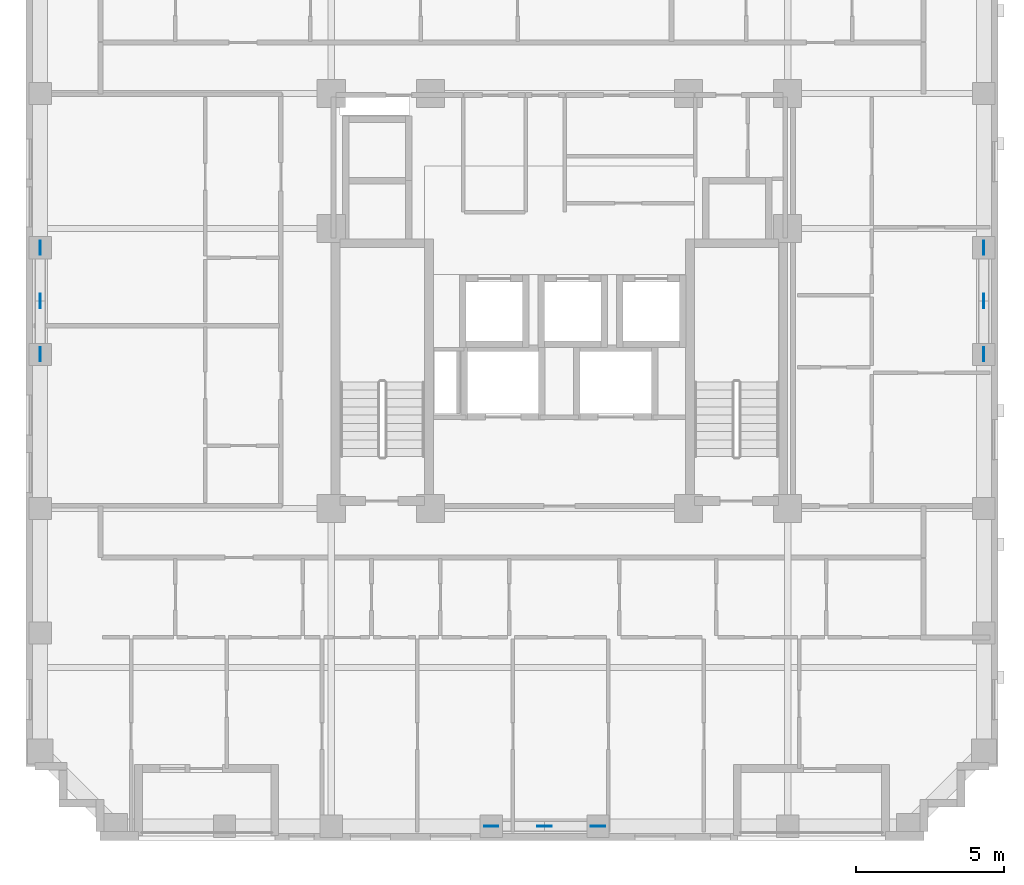
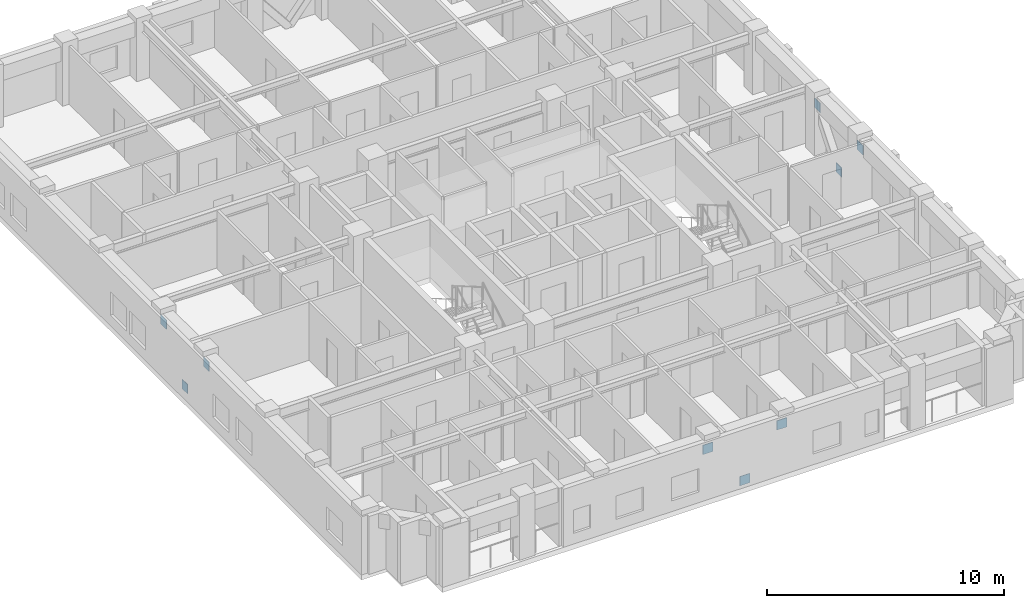
# One storey, part 9 of 12: 9 discrete accessories.
"""IFC4 building model written with IfcOpenShell, lengths in metres."""

from ifc_helpers import new_model, si_unit, derived_unit, direction, frame, origin, origin_2d, place, context, subcontext, project, spatial, rectangle, extrude, material, layer, layer_set, type_object, element, save


model = new_model("IFC4")

# Units and contexts
model_context = context("Model", 3, precision=1e-05, world=origin(), true_north=direction((0.0, 1.0)))
body_context = subcontext(model_context, "Body", "Model", "MODEL_VIEW")
ifc_project = project(units=[si_unit("LENGTHUNIT", "METRE"), si_unit("AREAUNIT", "SQUARE_METRE"), si_unit("VOLUMEUNIT", "CUBIC_METRE"), si_unit("PLANEANGLEUNIT", "RADIAN"), si_unit("MASSUNIT", "GRAM", prefix="KILO"), derived_unit("THERMALTRANSMITTANCEUNIT", [(si_unit("MASSUNIT", "GRAM", prefix="KILO"), 1), (si_unit("TIMEUNIT", "SECOND"), -3), (si_unit("THERMODYNAMICTEMPERATUREUNIT", "KELVIN"), -1)])], contexts=[model_context])

# Site, building, storey
site_placement = place(None, origin())
site = spatial("IfcSite", under=ifc_project, at=site_placement, CompositionType="ELEMENT")
building_placement = place(site_placement, origin())
building = spatial("IfcBuilding", under=site, at=building_placement, Name="Korrvale Station Residences", CompositionType="ELEMENT")
storey_placement = place(building_placement, frame((0.0, 0.0, 130.89990234375)))
storey = spatial("IfcBuildingStorey", under=building, at=storey_placement, Name="L37", CompositionType="ELEMENT", Elevation=130.89990234375)

# Discrete accessories
ifc_material = material(Name="Steel S355", Category="steel")
ifc_layer = layer(ifc_material, 0.02490234375, Name="Steel S355")
ifc_layer_set = layer_set([ifc_layer], Name="Steel S355")
discrete_accessory_type = type_object("IfcDiscreteAccessoryType", Name="ACC-GUSSET-25", PredefinedType="BRACKET", material=ifc_layer_set)
for number, where, z_axis, x_axis, name in (
    (1, (25.0, 4.280029296875, -0.219970703125), (0.0, 0.0, 1.0), (1.0, 0.0, 0.0), "L37 S Brace End Gusset Connection M"),
    (2, (23.199951171875, 4.280029296875, 2.02001953125), (0.0, 0.0, 1.0), (1.0, 0.0, 0.0), "L37 S Brace End Gusset Connection A"),
    (3, (26.800048828125, 4.280029296875, 2.02001953125), (0.0, 0.0, 1.0), (1.0, 0.0, 0.0), "L37 S Brace End Gusset Connection B"),
    (4, (7.97998046875, 22.0, -0.219970703125), (0.0, 0.0, 1.0), (0.0, 1.0, 0.0), "L37 W Brace End Gusset Connection M"),
    (5, (7.97998046875, 20.199951171875, 2.02001953125), (0.0, 0.0, 1.0), (0.0, 1.0, 0.0), "L37 W Brace End Gusset Connection A"),
    (6, (7.97998046875, 23.800048828125, 2.02001953125), (0.0, 0.0, 1.0), (0.0, 1.0, 0.0), "L37 W Brace End Gusset Connection B"),
    (7, (39.820068359375, 22.0, -0.219970703125), (0.0, 0.0, 1.0), (0.0, 1.0, 0.0), "L37 E Brace End Gusset Connection M"),
    (8, (39.820068359375, 20.199951171875, 2.02001953125), (0.0, 0.0, 1.0), (0.0, 1.0, 0.0), "L37 E Brace End Gusset Connection A"),
    (9, (39.820068359375, 23.800048828125, 2.02001953125), (0.0, 0.0, 1.0), (0.0, 1.0, 0.0), "L37 E Brace End Gusset Connection B"),
):
    element("IfcDiscreteAccessory", number, at=place(storey_placement, frame(where, z_axis=z_axis, x_axis=x_axis)), inside=storey, type_object=discrete_accessory_type, Name=name, PredefinedType="BRACKET", context=body_context, shape_type="SweptSolid", body=[
        extrude(rectangle(XDim=0.47998046875, YDim=0.02490234375, at=origin_2d()), origin(), (0.0, 0.0, 1.0), 0.47998046875),
    ])

save(model, "model.ifc")
